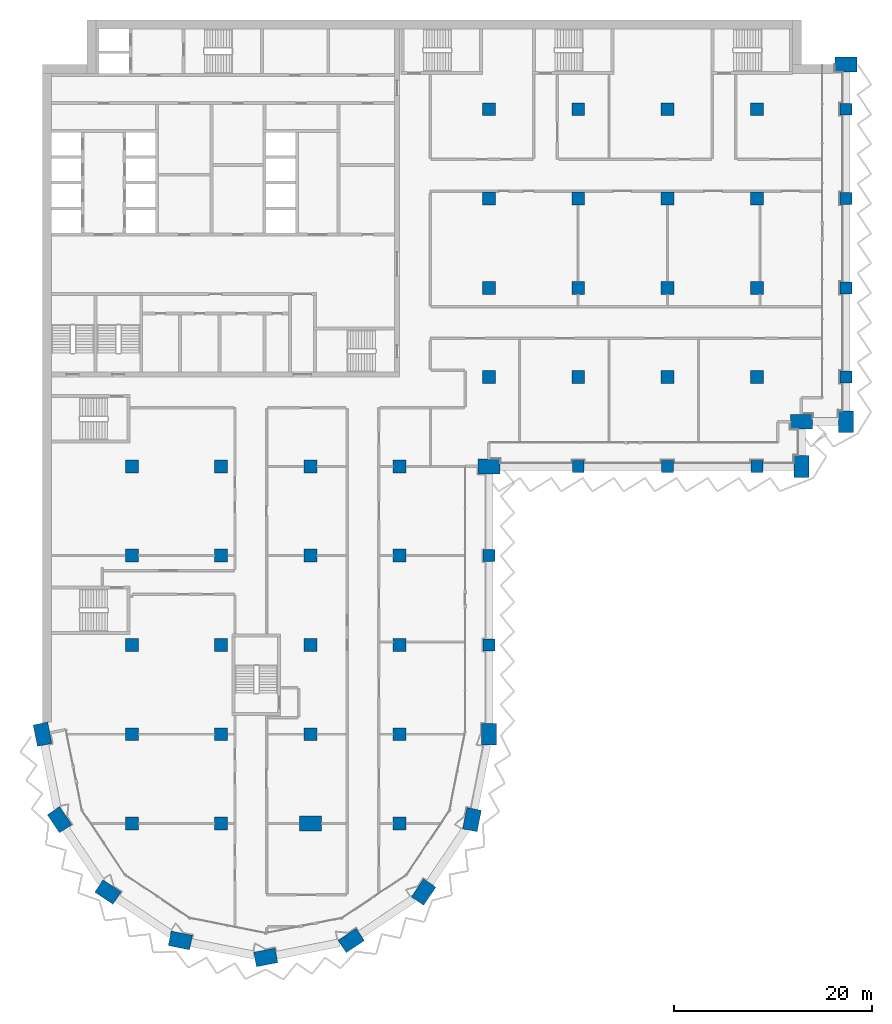
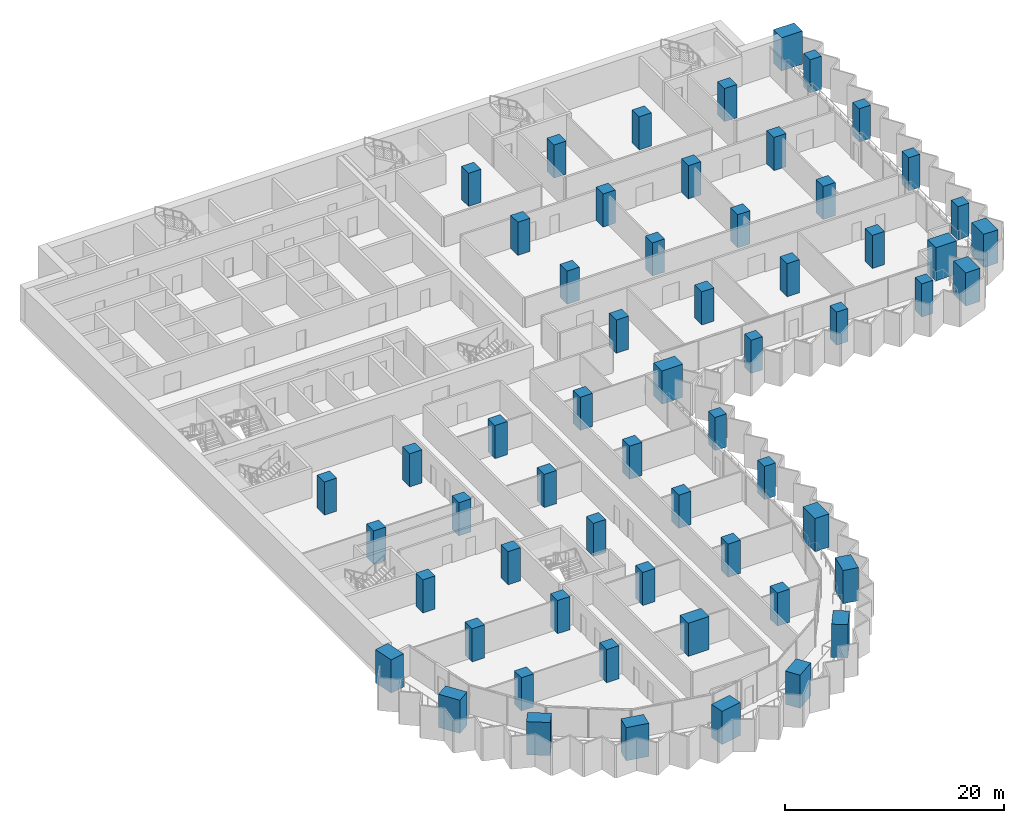
# One storey, part 1 of 22: 59 columns.
"""IFC4 building model written with IfcOpenShell, lengths in metres."""

from ifc_helpers import new_model, si_unit, direction, frame, origin, origin_2d, place, context, subcontext, project, spatial, rectangle, extrude, material, material_profile, profile_set, type_object, element, save


model = new_model("IFC4")

# Units and contexts
model_context = context("Model", 3, precision=1e-05, world=origin(), true_north=direction((0.0, 1.0)))
body_context = subcontext(model_context, "Body", "Model", "MODEL_VIEW")
ifc_project = project(units=[si_unit("LENGTHUNIT", "METRE"), si_unit("AREAUNIT", "SQUARE_METRE"), si_unit("VOLUMEUNIT", "CUBIC_METRE"), si_unit("PLANEANGLEUNIT", "RADIAN"), si_unit("MASSUNIT", "GRAM", prefix="KILO")], contexts=[model_context])

# Site, building, storey
site_placement = place(None, origin())
site = spatial("IfcSite", under=ifc_project, at=site_placement, CompositionType="ELEMENT")
building_placement = place(site_placement, origin())
building = spatial("IfcBuilding", under=site, at=building_placement, Name="Hunhe Ridgeline Campus", CompositionType="ELEMENT")
storey_placement = place(building_placement, frame((0.0, 0.0, 88.5)))
storey = spatial("IfcBuildingStorey", under=building, at=storey_placement, Name="L21", CompositionType="ELEMENT", Elevation=88.5)

# Columns
ifc_material = material(Name="Concrete C70", Category="concrete")
ifc_material_profile_1 = material_profile(ifc_material, rectangle(XDim=2.199951171875, YDim=1.5, at=origin_2d()))
ifc_profile_set_1 = profile_set([ifc_material_profile_1], Name="Concrete C70")
column_type_1 = type_object("IfcColumnType", Name="Megacolumn 2200x1500 Concrete C70", PredefinedType="COLUMN", material=ifc_profile_set_1)
for number, where, z_axis, x_axis, name in (
    (1, (22.5, 4.5, 0.0), (0.0, 0.0, 1.0), (0.980785280403, 0.195090322016, 0.0), "Column C6 R1 L21"),
    (2, (13.8896484375, 6.212646484375, 0.0), (0.0, 0.0, 1.0), (-0.980785280403, 0.195090322016, 0.0), "Column C6 R2 L21"),
    (3, (31.1103515625, 6.212646484375, 0.0), (0.0, 0.0, 1.0), (0.831469612303, 0.55557023302, 0.0), "Column C6 R3 L21"),
    (4, (6.590087890625, 11.090087890625, 0.0), (0.0, 0.0, 1.0), (-0.831469612303, 0.55557023302, 0.0), "Column C6 R4 L21"),
    (5, (38.409912109375, 11.090087890625, 0.0), (0.0, 0.0, 1.0), (0.55557023302, 0.831469612303, 0.0), "Column C6 R5 L21"),
    (6, (1.712646484375, 18.3896484375, 0.0), (0.0, 0.0, 1.0), (-0.55557023302, 0.831469612303, 0.0), "Column C6 R9 L21"),
    (7, (43.287353515625, 18.3896484375, 0.0), (0.0, 0.0, 1.0), (0.195090322016, 0.980785280403, 0.0), "Column C6 R10 L21"),
    (8, (0.0, 27.0, 0.0), (0.0, 0.0, 1.0), (-0.195090322016, 0.980785280403, 0.0), "Column C6 D1 L21"),
    (9, (45.0, 27.0, 0.0), (0.0, 0.0, 1.0), (0.0, 1.0, 0.0), "Column C6 D6 L21"),
    (10, (45.0, 54.0, 0.0), (0.0, 0.0, 1.0), (1.0, 0.0, 0.0), "Column C6 G6 L21"),
    (11, (76.5, 54.0, 0.0), (0.0, 0.0, 1.0), (0.0, 1.0, 0.0), "Column C6 R31 L21"),
    (12, (76.5, 58.5, 0.0), (0.0, 0.0, 1.0), (1.0, 0.0, 0.0), "Column C6 R37 L21"),
    (13, (81.0, 58.5, 0.0), (0.0, 0.0, 1.0), (0.0, 1.0, 0.0), "Column C6 R38 L21"),
    (14, (81.0, 94.5, 0.0), (0.0, 0.0, 1.0), (1.0, 0.0, 0.0), "Column C6 R43 L21"),
    (15, (27.0, 18.0, 0.0), (0.0, 0.0, 1.0), (1.0, 0.0, 0.0), "Column C6 C4 L21"),
):
    element("IfcColumn", number, at=place(storey_placement, frame(where, z_axis=z_axis, x_axis=x_axis)), inside=storey, type_object=column_type_1, Name=name, PredefinedType="COLUMN", context=body_context, shape_type="SweptSolid", body=[
        extrude(rectangle(XDim=2.199951171875, YDim=1.5, at=origin_2d()), origin(), (0.0, 0.0, 1.0), 3.699951171875),
    ])
ifc_material_profile_2 = material_profile(ifc_material, rectangle(XDim=1.199951171875, YDim=1.199951171875, at=origin_2d()))
ifc_profile_set_2 = profile_set([ifc_material_profile_2], Name="Concrete C70")
column_type_2 = type_object("IfcColumnType", Name="RC column 1200x1200 Concrete C70", PredefinedType="COLUMN", material=ifc_profile_set_2)
for number, where, z_axis, x_axis, name in (
    (16, (45.0, 36.0, 0.0), (0.0, 0.0, 1.0), (1.0, 0.0, 0.0), "Column C7 E6 L21"),
    (17, (45.0, 45.0, 0.0), (0.0, 0.0, 1.0), (1.0, 0.0, 0.0), "Column C7 F6 L21"),
    (18, (54.0, 54.0, 0.0), (0.0, 0.0, 1.0), (1.0, 0.0, 0.0), "Column C7 G7 L21"),
    (19, (63.0, 54.0, 0.0), (0.0, 0.0, 1.0), (1.0, 0.0, 0.0), "Column C7 G8 L21"),
    (20, (72.0, 54.0, 0.0), (0.0, 0.0, 1.0), (1.0, 0.0, 0.0), "Column C7 G9 L21"),
    (21, (81.0, 63.0, 0.0), (0.0, 0.0, 1.0), (1.0, 0.0, 0.0), "Column C7 H10 L21"),
    (22, (81.0, 72.0, 0.0), (0.0, 0.0, 1.0), (1.0, 0.0, 0.0), "Column C7 I10 L21"),
    (23, (81.0, 81.0, 0.0), (0.0, 0.0, 1.0), (1.0, 0.0, 0.0), "Column C7 J10 L21"),
    (24, (81.0, 90.0, 0.0), (0.0, 0.0, 1.0), (1.0, 0.0, 0.0), "Column C7 K10 L21"),
):
    element("IfcColumn", number, at=place(storey_placement, frame(where, z_axis=z_axis, x_axis=x_axis)), inside=storey, type_object=column_type_2, Name=name, PredefinedType="COLUMN", context=body_context, shape_type="SweptSolid", body=[
        extrude(rectangle(XDim=1.199951171875, YDim=1.199951171875, at=origin_2d()), origin(), (0.0, 0.0, 1.0), 3.699951171875),
    ])
ifc_material_profile_3 = material_profile(ifc_material, rectangle(XDim=1.300048828125, YDim=1.300048828125, at=origin_2d()))
ifc_profile_set_3 = profile_set([ifc_material_profile_3], Name="Concrete C70")
column_type_3 = type_object("IfcColumnType", Name="RC column 1300x1300 Concrete C70", PredefinedType="COLUMN", material=ifc_profile_set_3)
for number, where, z_axis, x_axis, name in (
    (25, (9.0, 18.0, 0.0), (0.0, 0.0, 1.0), (1.0, 0.0, 0.0), "Column C8 C2 L21"),
    (26, (9.0, 27.0, 0.0), (0.0, 0.0, 1.0), (1.0, 0.0, 0.0), "Column C8 D2 L21"),
    (27, (9.0, 36.0, 0.0), (0.0, 0.0, 1.0), (1.0, 0.0, 0.0), "Column C8 E2 L21"),
    (28, (9.0, 45.0, 0.0), (0.0, 0.0, 1.0), (1.0, 0.0, 0.0), "Column C8 F2 L21"),
    (29, (9.0, 54.0, 0.0), (0.0, 0.0, 1.0), (1.0, 0.0, 0.0), "Column C8 G2 L21"),
    (30, (18.0, 18.0, 0.0), (0.0, 0.0, 1.0), (1.0, 0.0, 0.0), "Column C8 C3 L21"),
    (31, (18.0, 27.0, 0.0), (0.0, 0.0, 1.0), (1.0, 0.0, 0.0), "Column C8 D3 L21"),
    (32, (18.0, 36.0, 0.0), (0.0, 0.0, 1.0), (1.0, 0.0, 0.0), "Column C8 E3 L21"),
    (33, (18.0, 45.0, 0.0), (0.0, 0.0, 1.0), (1.0, 0.0, 0.0), "Column C8 F3 L21"),
    (34, (18.0, 54.0, 0.0), (0.0, 0.0, 1.0), (1.0, 0.0, 0.0), "Column C8 G3 L21"),
    (35, (27.0, 27.0, 0.0), (0.0, 0.0, 1.0), (1.0, 0.0, 0.0), "Column C8 D4 L21"),
    (36, (27.0, 36.0, 0.0), (0.0, 0.0, 1.0), (1.0, 0.0, 0.0), "Column C8 E4 L21"),
    (37, (27.0, 45.0, 0.0), (0.0, 0.0, 1.0), (1.0, 0.0, 0.0), "Column C8 F4 L21"),
    (38, (27.0, 54.0, 0.0), (0.0, 0.0, 1.0), (1.0, 0.0, 0.0), "Column C8 G4 L21"),
    (39, (36.0, 18.0, 0.0), (0.0, 0.0, 1.0), (1.0, 0.0, 0.0), "Column C8 C5 L21"),
    (40, (36.0, 27.0, 0.0), (0.0, 0.0, 1.0), (1.0, 0.0, 0.0), "Column C8 D5 L21"),
    (41, (36.0, 36.0, 0.0), (0.0, 0.0, 1.0), (1.0, 0.0, 0.0), "Column C8 E5 L21"),
    (42, (36.0, 45.0, 0.0), (0.0, 0.0, 1.0), (1.0, 0.0, 0.0), "Column C8 F5 L21"),
    (43, (36.0, 54.0, 0.0), (0.0, 0.0, 1.0), (1.0, 0.0, 0.0), "Column C8 G5 L21"),
    (44, (45.0, 63.0, 0.0), (0.0, 0.0, 1.0), (1.0, 0.0, 0.0), "Column C8 H6 L21"),
    (45, (45.0, 72.0, 0.0), (0.0, 0.0, 1.0), (1.0, 0.0, 0.0), "Column C8 I6 L21"),
    (46, (45.0, 81.0, 0.0), (0.0, 0.0, 1.0), (1.0, 0.0, 0.0), "Column C8 J6 L21"),
    (47, (45.0, 90.0, 0.0), (0.0, 0.0, 1.0), (1.0, 0.0, 0.0), "Column C8 K6 L21"),
    (48, (54.0, 63.0, 0.0), (0.0, 0.0, 1.0), (1.0, 0.0, 0.0), "Column C8 H7 L21"),
    (49, (54.0, 72.0, 0.0), (0.0, 0.0, 1.0), (1.0, 0.0, 0.0), "Column C8 I7 L21"),
    (50, (54.0, 81.0, 0.0), (0.0, 0.0, 1.0), (1.0, 0.0, 0.0), "Column C8 J7 L21"),
    (51, (54.0, 90.0, 0.0), (0.0, 0.0, 1.0), (1.0, 0.0, 0.0), "Column C8 K7 L21"),
    (52, (63.0, 63.0, 0.0), (0.0, 0.0, 1.0), (1.0, 0.0, 0.0), "Column C8 H8 L21"),
    (53, (63.0, 72.0, 0.0), (0.0, 0.0, 1.0), (1.0, 0.0, 0.0), "Column C8 I8 L21"),
    (54, (63.0, 81.0, 0.0), (0.0, 0.0, 1.0), (1.0, 0.0, 0.0), "Column C8 J8 L21"),
    (55, (63.0, 90.0, 0.0), (0.0, 0.0, 1.0), (1.0, 0.0, 0.0), "Column C8 K8 L21"),
    (56, (72.0, 63.0, 0.0), (0.0, 0.0, 1.0), (1.0, 0.0, 0.0), "Column C8 H9 L21"),
    (57, (72.0, 72.0, 0.0), (0.0, 0.0, 1.0), (1.0, 0.0, 0.0), "Column C8 I9 L21"),
    (58, (72.0, 81.0, 0.0), (0.0, 0.0, 1.0), (1.0, 0.0, 0.0), "Column C8 J9 L21"),
    (59, (72.0, 90.0, 0.0), (0.0, 0.0, 1.0), (1.0, 0.0, 0.0), "Column C8 K9 L21"),
):
    element("IfcColumn", number, at=place(storey_placement, frame(where, z_axis=z_axis, x_axis=x_axis)), inside=storey, type_object=column_type_3, Name=name, PredefinedType="COLUMN", context=body_context, shape_type="SweptSolid", body=[
        extrude(rectangle(XDim=1.300048828125, YDim=1.300048828125, at=origin_2d()), origin(), (0.0, 0.0, 1.0), 3.699951171875),
    ])

save(model, "model.ifc")
